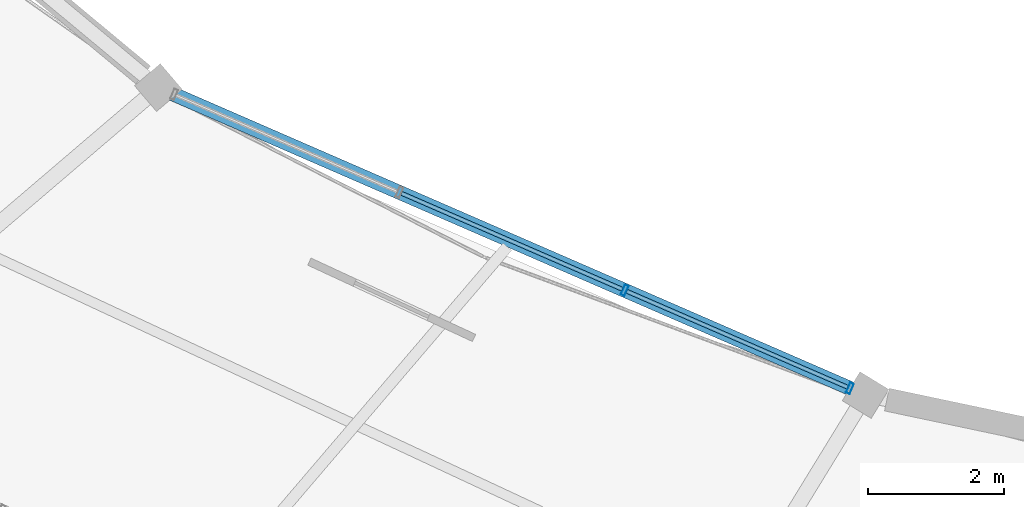
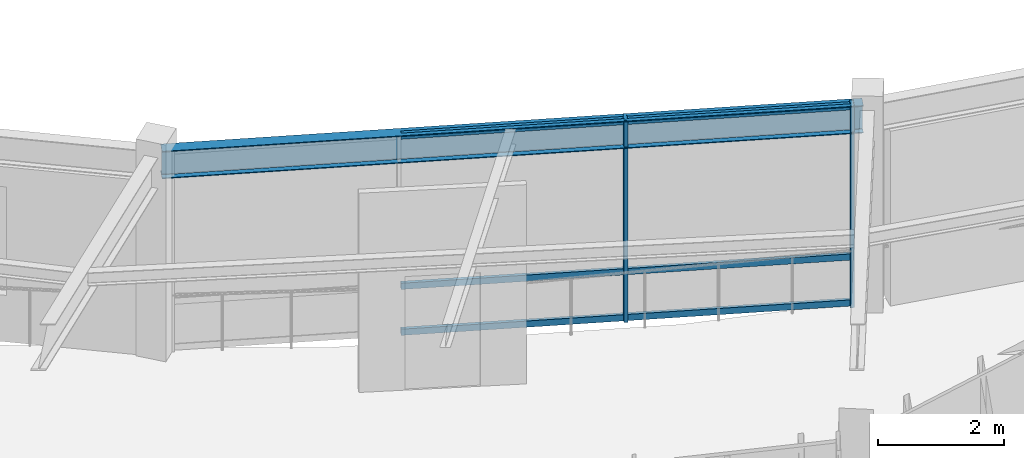
# One storey, part 7 of 79: 8 members, 1 beam, 1 element without a shape of its own.
"""IFC4 building model written with IfcOpenShell, lengths in metres."""

from ifc_helpers import new_model, si_unit, direction, frame, origin, origin_2d, place, context, subcontext, project, spatial, hollow_rectangle, i_section, extrude, material, material_profile, profile_set, type_object, element, aggregate, save


model = new_model("IFC4")

# Units and contexts
model_context = context("Model", 3, precision=1e-05, world=origin(), true_north=direction((0.0, 1.0)))
body_context = subcontext(model_context, "Body", "Model", "MODEL_VIEW")
ifc_project = project(units=[si_unit("LENGTHUNIT", "METRE"), si_unit("AREAUNIT", "SQUARE_METRE"), si_unit("VOLUMEUNIT", "CUBIC_METRE"), si_unit("PLANEANGLEUNIT", "RADIAN"), si_unit("MASSUNIT", "GRAM", prefix="KILO"), si_unit("THERMODYNAMICTEMPERATUREUNIT", "KELVIN"), si_unit("POWERUNIT", "WATT")], contexts=[model_context])

# Site, building, storey
site_placement = place(None, origin())
site = spatial("IfcSite", under=ifc_project, at=site_placement, CompositionType="ELEMENT")
building_placement = place(site_placement, origin())
building = spatial("IfcBuilding", under=site, at=building_placement, Name="Darbajah Civic Hall", CompositionType="ELEMENT")
storey_placement = place(building_placement, frame((0.0, 0.0, 22.199951171875)))
storey = spatial("IfcBuildingStorey", under=building, at=storey_placement, Name="L05", CompositionType="ELEMENT", Elevation=22.199951171875)

# Curtain wall, members
ifc_material_1 = material(Name="Anodised Bronze Aluminium and Low-E Glazing", Category="aluminium")
curtain_wall_type = type_object("IfcCurtainWallType", Name="Unitised Curtain Wall CW-63 10900x3900", PredefinedType="USERDEFINED", material=ifc_material_1)
curtain_wall_placement = place(storey_placement, origin())
curtain_wall = element("IfcCurtainWall", 1, at=curtain_wall_placement, inside=storey, type_object=curtain_wall_type, Name="L05 unitised curtain wall CW-V1I-L05-12", ObjectType="UNITISED CURTAIN WALL", PredefinedType="USERDEFINED")
ifc_material_2 = material(Name="Anodised Bronze Aluminium", Category="aluminium")
ifc_material_profile_1 = material_profile(ifc_material_2, hollow_rectangle(XDim=0.06005859375, YDim=0.159912109375, WallThickness=0.00341796875, at=origin_2d()), Name="ALU MULLION 60x160")
ifc_profile_set_1 = profile_set([ifc_material_profile_1], Name="Anodised Bronze Aluminium")
member_type_1 = type_object("IfcMemberType", Name="ALU MULLION 60x160", PredefinedType="MULLION", material=ifc_profile_set_1)
member_1_placement = place(storey_placement, frame((62.6640625, 72.330078125, 0.0), z_axis=(0.0, 0.0, 1.0), x_axis=(0.917060074385, -0.398749068925, 0.0)))
member_1 = element("IfcMember", 2, at=member_1_placement, type_object=member_type_1, Name="CW-V1I-L05-12 mullion 3", PredefinedType="MULLION", context=body_context, shape_type="SweptSolid", body=[
    extrude(hollow_rectangle(XDim=0.06005859375, YDim=0.159912109375, WallThickness=0.00341796875, at=origin_2d()), origin(), (0.0, 0.0, 1.0), 3.920166015625),
])
member_2_placement = place(storey_placement, frame((65.9833984375, 70.88671875, 0.0), z_axis=(0.0, 0.0, 1.0), x_axis=(0.917060074385, -0.398749068925, 0.0)))
member_2 = element("IfcMember", 3, at=member_2_placement, type_object=member_type_1, Name="CW-V1I-L05-12 mullion 4", PredefinedType="MULLION", context=body_context, shape_type="SweptSolid", body=[
    extrude(hollow_rectangle(XDim=0.06005859375, YDim=0.159912109375, WallThickness=0.00341796875, at=origin_2d()), origin(), (0.0, 0.0, 1.0), 3.920166015625),
])
ifc_material_profile_2 = material_profile(ifc_material_2, hollow_rectangle(XDim=0.06005859375, YDim=0.1201171875, WallThickness=0.003173828125, at=origin_2d()), Name="ALU TRANSOM 60x120")
ifc_profile_set_2 = profile_set([ifc_material_profile_2], Name="Anodised Bronze Aluminium")
member_type_2 = type_object("IfcMemberType", Name="ALU TRANSOM 60x120", PredefinedType="USERDEFINED", material=ifc_profile_set_2)
member_3_placement = place(storey_placement, frame((59.376708984375, 73.759521484375, 0.06005859375), z_axis=(0.917054747798, -0.398761319014, 0.0), x_axis=(0.398761319014, 0.917054747798, 0.0)))
member_3 = element("IfcMember", 4, at=member_3_placement, type_object=member_type_2, Name="CW-V1I-L05-12 transom 2.1", ObjectType="TRANSOM", PredefinedType="USERDEFINED", context=body_context, shape_type="SweptSolid", body=[
    extrude(hollow_rectangle(XDim=0.06005859375, YDim=0.1201171875, WallThickness=0.003173828125, at=origin_2d()), origin(), (0.0, 0.0, 1.0), 3.5498046875),
])
member_4_placement = place(storey_placement, frame((59.376708984375, 73.759521484375, 0.949951171875), z_axis=(0.917054747798, -0.398761319014, 0.0), x_axis=(0.398761319014, 0.917054747798, 0.0)))
member_4 = element("IfcMember", 5, at=member_4_placement, type_object=member_type_2, Name="CW-V1I-L05-12 transom 2.2", ObjectType="TRANSOM", PredefinedType="USERDEFINED", context=body_context, shape_type="SweptSolid", body=[
    extrude(hollow_rectangle(XDim=0.06005859375, YDim=0.1201171875, WallThickness=0.003173828125, at=origin_2d()), origin(), (0.0, 0.0, 1.0), 3.5498046875),
])
member_5_placement = place(storey_placement, frame((59.376708984375, 73.759521484375, 3.860107421875), z_axis=(0.917054747798, -0.398761319014, 0.0), x_axis=(0.398761319014, 0.917054747798, 0.0)))
member_5 = element("IfcMember", 6, at=member_5_placement, type_object=member_type_2, Name="CW-V1I-L05-12 transom 2.3", ObjectType="TRANSOM", PredefinedType="USERDEFINED", context=body_context, shape_type="SweptSolid", body=[
    extrude(hollow_rectangle(XDim=0.06005859375, YDim=0.1201171875, WallThickness=0.003173828125, at=origin_2d()), origin(), (0.0, 0.0, 1.0), 3.5498046875),
])
member_6_placement = place(storey_placement, frame((62.6962890625, 72.31591796875, 0.06005859375), z_axis=(0.917068962738, -0.39872862649, 0.0), x_axis=(0.39872862649, 0.917068962738, 0.0)))
member_6 = element("IfcMember", 7, at=member_6_placement, type_object=member_type_2, Name="CW-V1I-L05-12 transom 3.1", ObjectType="TRANSOM", PredefinedType="USERDEFINED", context=body_context, shape_type="SweptSolid", body=[
    extrude(hollow_rectangle(XDim=0.06005859375, YDim=0.1201171875, WallThickness=0.003173828125, at=origin_2d()), origin(), (0.0, 0.0, 1.0), 3.549560546875),
])
member_7_placement = place(storey_placement, frame((62.6962890625, 72.31591796875, 0.949951171875), z_axis=(0.917068962738, -0.39872862649, 0.0), x_axis=(0.39872862649, 0.917068962738, 0.0)))
member_7 = element("IfcMember", 8, at=member_7_placement, type_object=member_type_2, Name="CW-V1I-L05-12 transom 3.2", ObjectType="TRANSOM", PredefinedType="USERDEFINED", context=body_context, shape_type="SweptSolid", body=[
    extrude(hollow_rectangle(XDim=0.06005859375, YDim=0.1201171875, WallThickness=0.003173828125, at=origin_2d()), origin(), (0.0, 0.0, 1.0), 3.549560546875),
])
member_8_placement = place(storey_placement, frame((62.6962890625, 72.31591796875, 3.860107421875), z_axis=(0.917068962738, -0.39872862649, 0.0), x_axis=(0.39872862649, 0.917068962738, 0.0)))
member_8 = element("IfcMember", 9, at=member_8_placement, type_object=member_type_2, Name="CW-V1I-L05-12 transom 3.3", ObjectType="TRANSOM", PredefinedType="USERDEFINED", context=body_context, shape_type="SweptSolid", body=[
    extrude(hollow_rectangle(XDim=0.06005859375, YDim=0.1201171875, WallThickness=0.003173828125, at=origin_2d()), origin(), (0.0, 0.0, 1.0), 3.549560546875),
])
aggregate(curtain_wall, [member_1, member_2, member_3, member_4, member_5, member_6, member_7, member_8])

# Beam
ifc_material_3 = material(Name="Steel S355JR", Category="steel")
ifc_material_profile_3 = material_profile(ifc_material_3, i_section(OverallWidth=0.209228515625, OverallDepth=0.533203125, WebThickness=0.010009765625, FlangeThickness=0.015625, FilletRadius=0.0126953125, at=origin_2d()), Name="UB 533x210x92")
ifc_profile_set_3 = profile_set([ifc_material_profile_3], Name="Steel S355JR")
beam_type = type_object("IfcBeamType", Name="UB 533x210x92", PredefinedType="BEAM", material=ifc_profile_set_3)
beam_placement = place(storey_placement, frame((55.86767578125, 75.285400390625, 3.653564453125), z_axis=(0.917051345793, -0.398769142712, 0.0), x_axis=(0.398769142712, 0.917051345793, 0.0)))
element("IfcBeam", 10, at=beam_placement, inside=storey, type_object=beam_type, Name="L05 beam SB-533", PredefinedType="BEAM", context=body_context, shape_type="SweptSolid", body=[
    extrude(i_section(OverallWidth=0.209228515625, OverallDepth=0.533203125, WebThickness=0.010009765625, FlangeThickness=0.015625, FilletRadius=0.0126953125, at=origin_2d()), origin(), (0.0, 0.0, 1.0), 11.20263671875),
])

save(model, "model.ifc")
